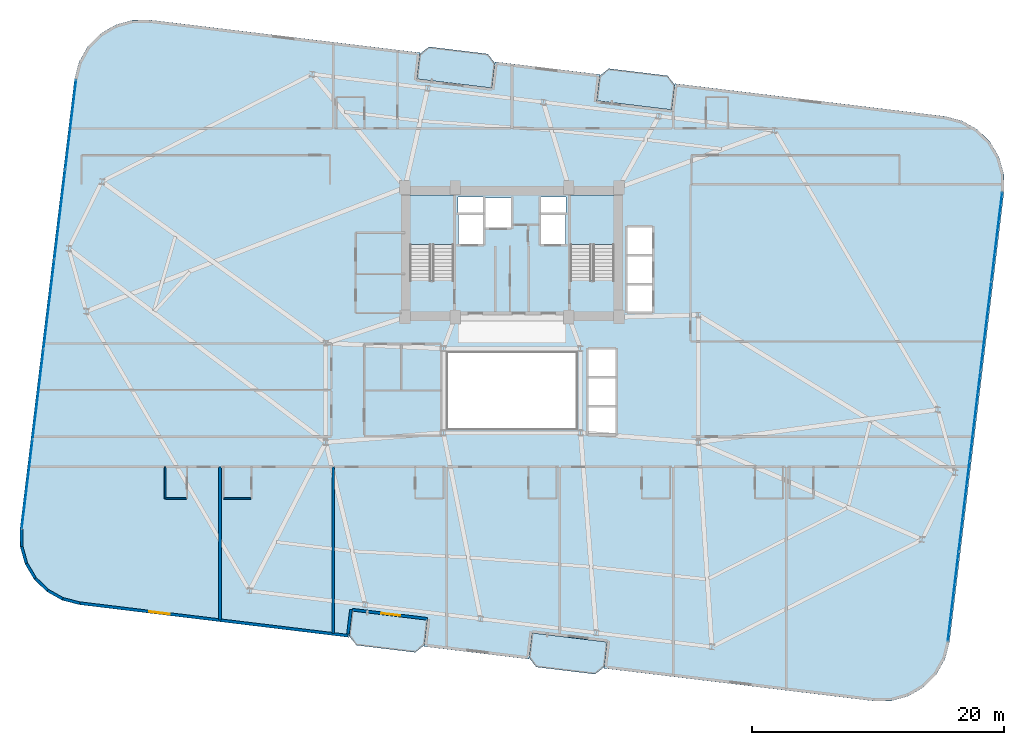
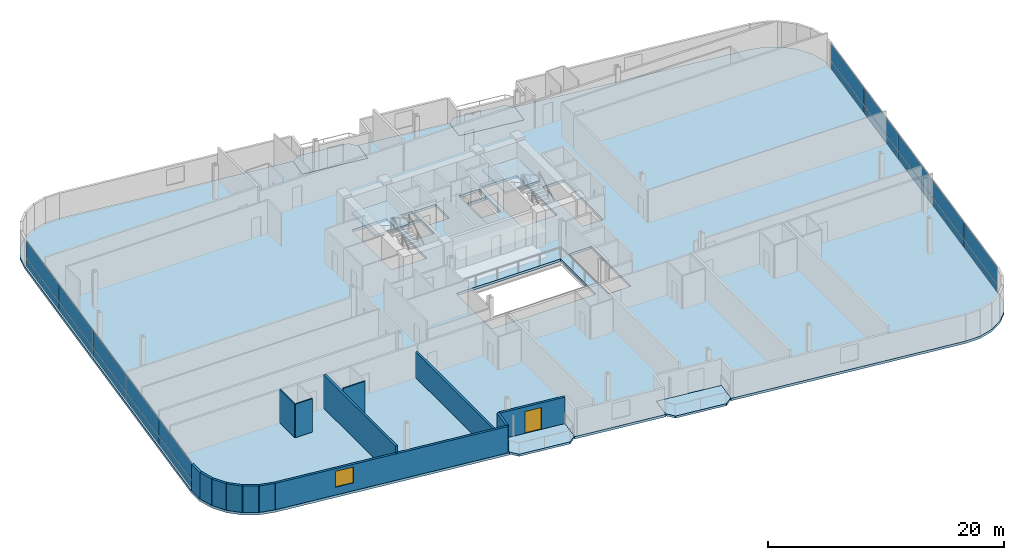
# One storey, part 19 of 26: 20 plates, 14 walls, 7 slabs, 1 door, 1 window, 2 openings, 4 elements without a shape of their own.
"""IFC4 building model written with IfcOpenShell, lengths in metres."""

from ifc_helpers import new_model, si_unit, direction, frame, frame_2d, origin, origin_2d, place, context, subcontext, project, spatial, polyline, rectangle, outline, extrude, source, transform, mapped, material, layer, layer_set, type_object, element, fill, aggregate, save


model = new_model("IFC4")

# Units and contexts
model_context = context("Model", 3, precision=1e-05, world=origin(), true_north=direction((0.0, 1.0)))
body_context = subcontext(model_context, "Body", "Model", "MODEL_VIEW")
ifc_project = project(units=[si_unit("LENGTHUNIT", "METRE"), si_unit("AREAUNIT", "SQUARE_METRE"), si_unit("VOLUMEUNIT", "CUBIC_METRE"), si_unit("PLANEANGLEUNIT", "RADIAN"), si_unit("MASSUNIT", "GRAM", prefix="KILO")], contexts=[model_context])

# Site, building, storey
site_placement = place(None, origin())
site = spatial("IfcSite", under=ifc_project, at=site_placement, CompositionType="ELEMENT")
building_placement = place(site_placement, origin())
building = spatial("IfcBuilding", under=site, at=building_placement, Name="Varnelok Gate Tower", CompositionType="ELEMENT")
storey_placement = place(building_placement, frame((0.0, 0.0, 143.89990234375)))
storey = spatial("IfcBuildingStorey", under=building, at=storey_placement, Name="L36", CompositionType="ELEMENT", Elevation=143.89990234375)

# Slabs
ifc_material_1 = material(Name="Concrete C45/55", Category="concrete")
ifc_layer_1 = layer(ifc_material_1, 0.219970703125)
ifc_layer_set_1 = layer_set([ifc_layer_1], Name="Concrete C45/55")
slab_type_1 = type_object("IfcSlabType", Name="SLB-BALC-220", PredefinedType="FLOOR", material=ifc_layer_set_1)
slab_1_placement = place(storey_placement, frame((0.0, 0.0, -0.219970703125)))
element("IfcSlab", 1, at=slab_1_placement, inside=storey, type_object=slab_type_1, Name="L36 South Hollow Balcony 1", PredefinedType="FLOOR", context=body_context, shape_type="SweptSolid", body=[
    extrude(outline(polyline([(26.27001953125, 3.39697265625), (26.837158203125, 2.67333984375), (31.5029296875, 2.107666015625), (32.2265625, 2.6748046875), (32.46728515625, 4.660400390625), (26.5107421875, 5.38232421875), (26.27001953125, 3.39697265625)])), origin(), (0.0, 0.0, 1.0), 0.219970703125),
])
slab_2_placement = place(storey_placement, frame((0.0, 0.0, -0.219970703125)))
element("IfcSlab", 2, at=slab_2_placement, inside=storey, type_object=slab_type_1, Name="L36 South Hollow Balcony 2", PredefinedType="FLOOR", context=body_context, shape_type="SweptSolid", body=[
    extrude(outline(polyline([(40.5654296875, 1.663818359375), (41.132568359375, 0.9404296875), (45.79833984375, 0.374755859375), (46.521728515625, 0.94189453125), (46.762451171875, 2.92724609375), (40.80615234375, 3.6494140625), (40.5654296875, 1.663818359375)])), origin(), (0.0, 0.0, 1.0), 0.219970703125),
])
slab_3_placement = place(storey_placement, frame((0.0, 0.0, -0.219970703125)))
element("IfcSlab", 3, at=slab_3_placement, inside=storey, type_object=slab_type_1, Name="L36 North Hollow Balcony 1", PredefinedType="FLOOR", context=body_context, shape_type="SweptSolid", body=[
    extrude(outline(polyline([(31.637451171875, 47.672607421875), (37.593994140625, 46.95068359375), (37.834716796875, 48.93603515625), (37.267578125, 49.65966796875), (32.601806640625, 50.22509765625), (31.878173828125, 49.658203125), (31.637451171875, 47.672607421875)])), origin(), (0.0, 0.0, 1.0), 0.219970703125),
])
slab_4_placement = place(storey_placement, frame((0.0, 0.0, -0.219970703125)))
element("IfcSlab", 4, at=slab_4_placement, inside=storey, type_object=slab_type_1, Name="L36 North Hollow Balcony 2", PredefinedType="FLOOR", context=body_context, shape_type="SweptSolid", body=[
    extrude(outline(polyline([(45.932861328125, 45.939697265625), (51.88916015625, 45.2177734375), (52.1298828125, 47.203125), (51.562744140625, 47.926513671875), (46.89697265625, 48.4921875), (46.173583984375, 47.92529296875), (45.932861328125, 45.939697265625)])), origin(), (0.0, 0.0, 1.0), 0.219970703125),
])

# Stair, slab
ifc_material_2 = material(Name="Concrete C50/60", Category="concrete")
stair_type = type_object("IfcStairType", Name="STR-CORE-1650", PredefinedType="HALF_TURN_STAIR", material=ifc_material_2)
stair_1_placement = place(storey_placement, origin())
stair_1 = element("IfcStair", 5, at=stair_1_placement, inside=storey, type_object=stair_type, Name="L36 Exit Stair ST-1", PredefinedType="HALF_TURN_STAIR")
ifc_layer_2 = layer(ifc_material_1, 0.199951171875)
ifc_layer_set_2 = layer_set([ifc_layer_2], Name="Concrete C45/55")
slab_type_2 = type_object("IfcSlabType", Name="SLB-LAND-200", PredefinedType="LANDING", material=ifc_layer_set_2)
slab_5_placement = place(storey_placement, frame((0.0, 0.0, 1.650146484375)))
slab_5 = element("IfcSlab", 6, at=slab_5_placement, type_object=slab_type_2, Name="ST-1 landing 1", PredefinedType="LANDING", context=body_context, shape_type="SweptSolid", body=[
    extrude(outline(polyline([(34.550048828125, 34.5), (34.550048828125, 38.449951171875), (31.10009765625, 38.449951171875), (31.10009765625, 34.5), (34.550048828125, 34.5)])), origin(), (0.0, 0.0, 1.0), 0.199951171875),
])
aggregate(stair_1, [slab_5])

stair_2_placement = place(storey_placement, origin())
stair_2 = element("IfcStair", 7, at=stair_2_placement, inside=storey, type_object=stair_type, Name="L36 Exit Stair ST-2", PredefinedType="HALF_TURN_STAIR")
slab_6_placement = place(storey_placement, frame((0.0, 0.0, 1.650146484375)))
slab_6 = element("IfcSlab", 8, at=slab_6_placement, type_object=slab_type_2, Name="ST-2 landing 1", PredefinedType="LANDING", context=body_context, shape_type="SweptSolid", body=[
    extrude(outline(polyline([(47.300048828125, 34.5), (47.300048828125, 38.449951171875), (43.85009765625, 38.449951171875), (43.85009765625, 34.5), (47.300048828125, 34.5)])), origin(), (0.0, 0.0, 1.0), 0.199951171875),
])
aggregate(stair_2, [slab_6])

# Slab
ifc_layer_3 = layer(ifc_material_2, 0.25)
ifc_layer_set_3 = layer_set([ifc_layer_3], Name="Concrete C50/60")
slab_type_3 = type_object("IfcSlabType", Name="SLB-TYP-250", PredefinedType="FLOOR", material=ifc_layer_set_3)
slab_7_placement = place(storey_placement, frame((0.0, 0.0, -0.25)))
element("IfcSlab", 9, at=slab_7_placement, inside=storey, type_object=slab_type_3, Name="L36 Structural Floor Slab", PredefinedType="FLOOR", context=body_context, shape_type="SweptSolid", body=[
    extrude(outline(polyline([(0.104248046875, 11.90771484375), (0.11865234375, 10.498046875), (0.49755859375, 9.14013671875), (1.214599609375, 7.9267578125), (2.2216796875, 6.940185546875), (3.44970703125, 6.247802734375), (4.81494140625, 5.89697265625), (16.529296875, 4.47705078125), (26.258056640625, 3.297607421875), (26.5107421875, 5.38232421875), (32.46728515625, 4.660400390625), (32.214599609375, 2.575439453125), (40.553466796875, 1.564697265625), (40.80615234375, 3.6494140625), (46.762451171875, 2.92724609375), (46.509765625, 0.842529296875), (56.238525390625, -0.3369140625), (67.952880859375, -1.7568359375), (69.3623046875, -1.742431640625), (70.72021484375, -1.363525390625), (71.933837890625, -0.646240234375), (72.92041015625, 0.360595703125), (73.612548828125, 1.588623046875), (73.96337890625, 2.9541015625), (78.2958984375, 38.6923828125), (78.281494140625, 40.101806640625), (77.902587890625, 41.459716796875), (77.185302734375, 42.67333984375), (76.17822265625, 43.659912109375), (74.9501953125, 44.35205078125), (73.5849609375, 44.702880859375), (61.87060546875, 46.123046875), (52.141845703125, 47.302490234375), (51.88916015625, 45.2177734375), (45.932861328125, 45.939697265625), (46.185546875, 48.0244140625), (37.8466796875, 49.035400390625), (37.593994140625, 46.95068359375), (31.637451171875, 47.672607421875), (31.89013671875, 49.75732421875), (22.161376953125, 50.936767578125), (10.447265625, 52.35693359375), (9.03759765625, 52.34228515625), (7.6796875, 51.963623046875), (6.46630859375, 51.246337890625), (5.479736328125, 50.2392578125), (4.787353515625, 49.01123046875), (4.4365234375, 47.64599609375), (0.104248046875, 11.90771484375)]), holes=[polyline([(34.550048828125, 31.679931640625), (34.550048828125, 38.449951171875), (31.10009765625, 38.449951171875), (31.10009765625, 31.679931640625), (34.550048828125, 31.679931640625)]), polyline([(47.300048828125, 31.679931640625), (47.300048828125, 38.449951171875), (43.85009765625, 38.449951171875), (43.85009765625, 31.679931640625), (47.300048828125, 31.679931640625)]), polyline([(34.949951171875, 34.550048828125), (36.89990234375, 34.550048828125), (36.89990234375, 36.89990234375), (34.949951171875, 36.89990234375), (34.949951171875, 34.550048828125)]), polyline([(41.5, 34.550048828125), (43.449951171875, 34.550048828125), (43.449951171875, 36.89990234375), (41.5, 36.89990234375), (41.5, 34.550048828125)]), polyline([(37.050048828125, 35.85009765625), (39.14990234375, 35.85009765625), (39.14990234375, 38.199951171875), (37.050048828125, 38.199951171875), (37.050048828125, 35.85009765625)]), polyline([(48.35009765625, 29.14990234375), (50.35009765625, 29.14990234375), (50.35009765625, 35.89990234375), (48.35009765625, 35.89990234375), (48.35009765625, 29.14990234375)]), polyline([(45.25, 19.449951171875), (47.449951171875, 19.449951171875), (47.449951171875, 26.199951171875), (45.25, 26.199951171875), (45.25, 19.449951171875)]), polyline([(34.919921875, 37.080078125), (36.89990234375, 37.080078125), (36.89990234375, 38.280029296875), (34.919921875, 38.280029296875), (34.919921875, 37.080078125)]), polyline([(41.5, 37.080078125), (43.47998046875, 37.080078125), (43.47998046875, 38.280029296875), (41.5, 38.280029296875), (41.5, 37.080078125)]), polyline([(34.10009765625, 19.89990234375), (44.300048828125, 19.89990234375), (44.300048828125, 25.89990234375), (34.10009765625, 25.89990234375), (34.10009765625, 19.89990234375)])]), origin(), (0.0, 0.0, 1.0), 0.25),
])

# Curtain wall, plates
ifc_material_3 = material(Name="Anodized Aluminum Alloy 6063-T6", Category="aluminium")
ifc_layer_4 = layer(ifc_material_3, 0.179931640625)
ifc_layer_set_4 = layer_set([ifc_layer_4], Name="Anodized Aluminum Alloy 6063-T6")
curtain_wall_type = type_object("IfcCurtainWallType", Name="CW3-HOTEL-VISION", PredefinedType="USERDEFINED", material=ifc_layer_set_4)
curtain_wall_1_placement = place(storey_placement, origin())
curtain_wall_1 = element("IfcCurtainWall", 10, at=curtain_wall_1_placement, inside=storey, type_object=curtain_wall_type, Name="L36 West End Vision Curtain Wall", ObjectType="UNITISED CURTAIN WALL", PredefinedType="USERDEFINED")
ifc_material_4 = material(Name="Low-E Laminated Double Glazing IGU", Category="glass")
ifc_layer_5 = layer(ifc_material_4, 0.031982421875)
ifc_layer_set_5 = layer_set([ifc_layer_5], Name="Low-E Laminated Double Glazing IGU")
plate_type = type_object("IfcPlateType", Name="CW-PNL-IGU32", PredefinedType="CURTAIN_PANEL", material=ifc_layer_set_5)
shared_shape_1 = source(origin(), body_context, "Body", "SweptSolid", [
    extrude(rectangle(XDim=7.1025390625, YDim=0.031982421875, at=origin_2d()), origin(), (0.0, 0.0, 1.0), 0.802490234375),
])
plate_1_placement = place(storey_placement, frame((0.67822265625, 15.480712890625, 0.06494140625), z_axis=(0.0, 0.0, 1.0), x_axis=(0.120347046212, 0.99273188146, 0.0)))
plate_1 = element("IfcPlate", 11, at=plate_1_placement, type_object=plate_type, Name="CW3 panel 1.1", PredefinedType="CURTAIN_PANEL", context=body_context, shape_type="MappedRepresentation", body=[
    mapped(shared_shape_1, transform((0.0, 0.0, 0.0), scale=1.0)),
])
plate_2_placement = place(storey_placement, frame((4.140380859375, 44.039306640625, 0.06494140625), z_axis=(0.0, 0.0, 1.0), x_axis=(0.120347046212, 0.99273188146, 0.0)))
plate_2 = element("IfcPlate", 12, at=plate_2_placement, type_object=plate_type, Name="CW3 panel 5.1", PredefinedType="CURTAIN_PANEL", context=body_context, shape_type="MappedRepresentation", body=[
    mapped(shared_shape_1, transform((0.0, 0.0, 0.0), scale=1.0)),
])

curtain_wall_2_placement = place(storey_placement, origin())
curtain_wall_2 = element("IfcCurtainWall", 13, at=curtain_wall_2_placement, inside=storey, type_object=curtain_wall_type, Name="L36 East End Vision Curtain Wall", ObjectType="UNITISED CURTAIN WALL", PredefinedType="USERDEFINED")
plate_3_placement = place(storey_placement, frame((77.7216796875, 35.119140625, 0.06494140625), z_axis=(0.0, 0.0, 1.0), x_axis=(-0.120347046212, -0.99273188146, 0.0)))
plate_3 = element("IfcPlate", 14, at=plate_3_placement, type_object=plate_type, Name="CW3 panel 1.1", PredefinedType="CURTAIN_PANEL", context=body_context, shape_type="MappedRepresentation", body=[
    mapped(shared_shape_1, transform((0.0, 0.0, 0.0), scale=1.0)),
])
plate_4_placement = place(storey_placement, frame((74.259521484375, 6.560791015625, 0.06494140625), z_axis=(0.0, 0.0, 1.0), x_axis=(-0.120347046212, -0.99273188146, 0.0)))
plate_4 = element("IfcPlate", 15, at=plate_4_placement, type_object=plate_type, Name="CW3 panel 5.1", PredefinedType="CURTAIN_PANEL", context=body_context, shape_type="MappedRepresentation", body=[
    mapped(shared_shape_1, transform((0.0, 0.0, 0.0), scale=1.0)),
])

# Plate
shared_shape_2 = source(origin(), body_context, "Body", "SweptSolid", [
    extrude(rectangle(XDim=7.1025390625, YDim=0.031982421875, at=origin_2d()), origin(), (0.0, 0.0, 1.0), 1.732421875),
])
plate_5_placement = place(storey_placement, frame((0.67822265625, 15.480712890625, 0.9326171875), z_axis=(0.0, 0.0, 1.0), x_axis=(0.120347046212, 0.99273188146, 0.0)))
plate_5 = element("IfcPlate", 16, at=plate_5_placement, type_object=plate_type, Name="CW3 panel 1.2", PredefinedType="CURTAIN_PANEL", context=body_context, shape_type="MappedRepresentation", body=[
    mapped(shared_shape_2, transform((0.0, 0.0, 0.0), scale=1.0)),
])

plate_6_placement = place(storey_placement, frame((4.140380859375, 44.039306640625, 0.9326171875), z_axis=(0.0, 0.0, 1.0), x_axis=(0.120347046212, 0.99273188146, 0.0)))
plate_6 = element("IfcPlate", 17, at=plate_6_placement, type_object=plate_type, Name="CW3 panel 5.2", PredefinedType="CURTAIN_PANEL", context=body_context, shape_type="MappedRepresentation", body=[
    mapped(shared_shape_2, transform((0.0, 0.0, 0.0), scale=1.0)),
])

plate_7_placement = place(storey_placement, frame((77.7216796875, 35.119140625, 0.9326171875), z_axis=(0.0, 0.0, 1.0), x_axis=(-0.120347046212, -0.99273188146, 0.0)))
plate_7 = element("IfcPlate", 18, at=plate_7_placement, type_object=plate_type, Name="CW3 panel 1.2", PredefinedType="CURTAIN_PANEL", context=body_context, shape_type="MappedRepresentation", body=[
    mapped(shared_shape_2, transform((0.0, 0.0, 0.0), scale=1.0)),
])

plate_8_placement = place(storey_placement, frame((74.259521484375, 6.560791015625, 0.9326171875), z_axis=(0.0, 0.0, 1.0), x_axis=(-0.120347046212, -0.99273188146, 0.0)))
plate_8 = element("IfcPlate", 19, at=plate_8_placement, type_object=plate_type, Name="CW3 panel 5.2", PredefinedType="CURTAIN_PANEL", context=body_context, shape_type="MappedRepresentation", body=[
    mapped(shared_shape_2, transform((0.0, 0.0, 0.0), scale=1.0)),
])

shared_shape_3 = source(origin(), body_context, "Body", "SweptSolid", [
    extrude(rectangle(XDim=7.135009765625, YDim=0.031982421875, at=origin_2d()), origin(), (0.0, 0.0, 1.0), 0.802490234375),
])
plate_9_placement = place(storey_placement, frame((1.54296875, 22.6123046875, 0.06494140625), z_axis=(0.0, 0.0, 1.0), x_axis=(0.120347046212, 0.99273188146, 0.0)))
plate_9 = element("IfcPlate", 20, at=plate_9_placement, type_object=plate_type, Name="CW3 panel 2.1", PredefinedType="CURTAIN_PANEL", context=body_context, shape_type="MappedRepresentation", body=[
    mapped(shared_shape_3, transform((0.0, 0.0, 0.0), scale=1.0)),
])

plate_10_placement = place(storey_placement, frame((2.409423828125, 29.760009765625, 0.06494140625), z_axis=(0.0, 0.0, 1.0), x_axis=(0.120347046212, 0.99273188146, 0.0)))
plate_10 = element("IfcPlate", 21, at=plate_10_placement, type_object=plate_type, Name="CW3 panel 3.1", PredefinedType="CURTAIN_PANEL", context=body_context, shape_type="MappedRepresentation", body=[
    mapped(shared_shape_3, transform((0.0, 0.0, 0.0), scale=1.0)),
])

plate_11_placement = place(storey_placement, frame((3.27587890625, 36.90771484375, 0.06494140625), z_axis=(0.0, 0.0, 1.0), x_axis=(0.120347046212, 0.99273188146, 0.0)))
plate_11 = element("IfcPlate", 22, at=plate_11_placement, type_object=plate_type, Name="CW3 panel 4.1", PredefinedType="CURTAIN_PANEL", context=body_context, shape_type="MappedRepresentation", body=[
    mapped(shared_shape_3, transform((0.0, 0.0, 0.0), scale=1.0)),
])

plate_12_placement = place(storey_placement, frame((76.857177734375, 27.98779296875, 0.06494140625), z_axis=(0.0, 0.0, 1.0), x_axis=(-0.120347046212, -0.99273188146, 0.0)))
plate_12 = element("IfcPlate", 23, at=plate_12_placement, type_object=plate_type, Name="CW3 panel 2.1", PredefinedType="CURTAIN_PANEL", context=body_context, shape_type="MappedRepresentation", body=[
    mapped(shared_shape_3, transform((0.0, 0.0, 0.0), scale=1.0)),
])

plate_13_placement = place(storey_placement, frame((75.99072265625, 20.840087890625, 0.06494140625), z_axis=(0.0, 0.0, 1.0), x_axis=(-0.120347046212, -0.99273188146, 0.0)))
plate_13 = element("IfcPlate", 24, at=plate_13_placement, type_object=plate_type, Name="CW3 panel 3.1", PredefinedType="CURTAIN_PANEL", context=body_context, shape_type="MappedRepresentation", body=[
    mapped(shared_shape_3, transform((0.0, 0.0, 0.0), scale=1.0)),
])

plate_14_placement = place(storey_placement, frame((75.124267578125, 13.6923828125, 0.06494140625), z_axis=(0.0, 0.0, 1.0), x_axis=(-0.120347046212, -0.99273188146, 0.0)))
plate_14 = element("IfcPlate", 25, at=plate_14_placement, type_object=plate_type, Name="CW3 panel 4.1", PredefinedType="CURTAIN_PANEL", context=body_context, shape_type="MappedRepresentation", body=[
    mapped(shared_shape_3, transform((0.0, 0.0, 0.0), scale=1.0)),
])

shared_shape_4 = source(origin(), body_context, "Body", "SweptSolid", [
    extrude(rectangle(XDim=7.135009765625, YDim=0.031982421875, at=origin_2d()), origin(), (0.0, 0.0, 1.0), 1.732421875),
])
plate_15_placement = place(storey_placement, frame((1.54296875, 22.6123046875, 0.9326171875), z_axis=(0.0, 0.0, 1.0), x_axis=(0.120347046212, 0.99273188146, 0.0)))
plate_15 = element("IfcPlate", 26, at=plate_15_placement, type_object=plate_type, Name="CW3 panel 2.2", PredefinedType="CURTAIN_PANEL", context=body_context, shape_type="MappedRepresentation", body=[
    mapped(shared_shape_4, transform((0.0, 0.0, 0.0), scale=1.0)),
])

plate_16_placement = place(storey_placement, frame((2.409423828125, 29.760009765625, 0.9326171875), z_axis=(0.0, 0.0, 1.0), x_axis=(0.120347046212, 0.99273188146, 0.0)))
plate_16 = element("IfcPlate", 27, at=plate_16_placement, type_object=plate_type, Name="CW3 panel 3.2", PredefinedType="CURTAIN_PANEL", context=body_context, shape_type="MappedRepresentation", body=[
    mapped(shared_shape_4, transform((0.0, 0.0, 0.0), scale=1.0)),
])

plate_17_placement = place(storey_placement, frame((3.27587890625, 36.90771484375, 0.9326171875), z_axis=(0.0, 0.0, 1.0), x_axis=(0.120347046212, 0.99273188146, 0.0)))
plate_17 = element("IfcPlate", 28, at=plate_17_placement, type_object=plate_type, Name="CW3 panel 4.2", PredefinedType="CURTAIN_PANEL", context=body_context, shape_type="MappedRepresentation", body=[
    mapped(shared_shape_4, transform((0.0, 0.0, 0.0), scale=1.0)),
])

aggregate(curtain_wall_1, [plate_1, plate_5, plate_9, plate_15, plate_10, plate_16, plate_11, plate_17, plate_2, plate_6])

plate_18_placement = place(storey_placement, frame((76.857177734375, 27.98779296875, 0.9326171875), z_axis=(0.0, 0.0, 1.0), x_axis=(-0.120347046212, -0.99273188146, 0.0)))
plate_18 = element("IfcPlate", 29, at=plate_18_placement, type_object=plate_type, Name="CW3 panel 2.2", PredefinedType="CURTAIN_PANEL", context=body_context, shape_type="MappedRepresentation", body=[
    mapped(shared_shape_4, transform((0.0, 0.0, 0.0), scale=1.0)),
])

plate_19_placement = place(storey_placement, frame((75.99072265625, 20.840087890625, 0.9326171875), z_axis=(0.0, 0.0, 1.0), x_axis=(-0.120347046212, -0.99273188146, 0.0)))
plate_19 = element("IfcPlate", 30, at=plate_19_placement, type_object=plate_type, Name="CW3 panel 3.2", PredefinedType="CURTAIN_PANEL", context=body_context, shape_type="MappedRepresentation", body=[
    mapped(shared_shape_4, transform((0.0, 0.0, 0.0), scale=1.0)),
])

plate_20_placement = place(storey_placement, frame((75.124267578125, 13.6923828125, 0.9326171875), z_axis=(0.0, 0.0, 1.0), x_axis=(-0.120347046212, -0.99273188146, 0.0)))
plate_20 = element("IfcPlate", 31, at=plate_20_placement, type_object=plate_type, Name="CW3 panel 4.2", PredefinedType="CURTAIN_PANEL", context=body_context, shape_type="MappedRepresentation", body=[
    mapped(shared_shape_4, transform((0.0, 0.0, 0.0), scale=1.0)),
])

aggregate(curtain_wall_2, [plate_3, plate_7, plate_12, plate_18, plate_13, plate_19, plate_14, plate_20, plate_4, plate_8])

# Wall, opening, door
ifc_layer_6 = layer(ifc_material_1, 0.219970703125)
ifc_layer_set_6 = layer_set([ifc_layer_6], Name="Concrete C45/55")
wall_type_1 = type_object("IfcWallType", Name="EW-BALC-220", PredefinedType="SOLIDWALL", material=ifc_layer_set_6)
wall_1_placement = place(storey_placement, frame((32.48046875, 4.76953125, 0.0), z_axis=(0.0, 0.0, 1.0), x_axis=(-0.992735402148, 0.120318000826, 0.0)))
wall_1 = element("IfcWall", 32, at=wall_1_placement, inside=storey, type_object=wall_type_1, Name="L36 South Terrace Envelope Wall 1", PredefinedType="SOLIDWALL", context=body_context, shape_type="SweptSolid", body=[
    extrude(rectangle(XDim=6.000244140625, YDim=0.219970703125, at=frame_2d((3.0, 0.0))), origin(), (0.0, 0.0, 1.0), 2.72998046875),
])
opening_1_placement = place(wall_1_placement, frame((2.176025390625, 0.0, 0.0)))
opening_1 = element("IfcOpeningElement", 33, at=opening_1_placement, cuts=wall_1, Name="Opening BD-1", PredefinedType="OPENING", context=body_context, shape_type="SweptSolid", body=[
    extrude(rectangle(XDim=1.5, YDim=2.25, at=frame_2d((0.75, 1.125))), frame((0.0, 0.119873046875, 0.0), z_axis=(0.0, -1.0, 0.0), x_axis=(1.0, 0.0, 0.0)), (0.0, 0.0, 1.0), 0.239990234375),
])
door_type = type_object("IfcDoorType", Name="DR-EXT-BALC1500", OperationType="NOTDEFINED", PredefinedType="DOOR", material=ifc_material_3)
door_placement = place(opening_1_placement, origin())
door = element("IfcDoor", 34, at=door_placement, inside=storey, type_object=door_type, Name="L36 South Balcony Glazed Door 1", OperationType="SINGLE_SWING_RIGHT", OverallHeight=2.25, OverallWidth=1.5, PredefinedType="DOOR", context=body_context, shape_type="SweptSolid", body=[
    extrude(rectangle(XDim=1.5, YDim=2.25, at=frame_2d((0.75, 1.125))), frame((0.0, 0.02490234375, 0.0), z_axis=(0.0, -1.0, 0.0), x_axis=(1.0, 0.0, 0.0)), (0.0, 0.0, 1.0), 0.050048828125),
])
fill(opening_1, door)

# Walls
wall_2_placement = place(storey_placement, frame((0.224365234375, 11.89306640625, 0.0), z_axis=(0.0, 0.0, 1.0), x_axis=(0.010098705419, -0.999949006774, 0.0)))
element("IfcWall", 35, at=wall_2_placement, inside=storey, type_object=wall_type_1, Name="L36 Perimeter Facade Closure Wall 1", PredefinedType="SOLIDWALL", context=body_context, shape_type="SweptSolid", body=[
    extrude(rectangle(XDim=1.3779296875, YDim=0.219970703125, at=frame_2d((0.68896484375, 0.0))), origin(), (0.0, 0.0, 1.0), 2.72998046875),
])
wall_3_placement = place(storey_placement, frame((0.2451171875, 10.490966796875, 0.0), z_axis=(0.0, 0.0, 1.0), x_axis=(0.268853470153, -0.963181089716, 0.0)))
element("IfcWall", 36, at=wall_3_placement, inside=storey, type_object=wall_type_1, Name="L36 Perimeter Facade Closure Wall 2", PredefinedType="SOLIDWALL", context=body_context, shape_type="SweptSolid", body=[
    extrude(rectangle(XDim=1.35302734375, YDim=0.219970703125, at=frame_2d((0.676513671875, 0.0))), origin(), (0.0, 0.0, 1.0), 2.72998046875),
])
wall_4_placement = place(storey_placement, frame((0.62158203125, 9.166015625, 0.0), z_axis=(0.0, 0.0, 1.0), x_axis=(0.508911700393, -0.860818727261, 0.0)))
element("IfcWall", 37, at=wall_4_placement, inside=storey, type_object=wall_type_1, Name="L36 Perimeter Facade Closure Wall 3", PredefinedType="SOLIDWALL", context=body_context, shape_type="SweptSolid", body=[
    extrude(rectangle(XDim=1.352783203125, YDim=0.219970703125, at=frame_2d((0.67626953125, 0.0))), origin(), (0.0, 0.0, 1.0), 2.72998046875),
])
wall_5_placement = place(storey_placement, frame((1.327880859375, 7.98388671875, 0.0), z_axis=(0.0, 0.0, 1.0), x_axis=(0.714376989847, -0.69976104234, 0.0)))
element("IfcWall", 38, at=wall_5_placement, inside=storey, type_object=wall_type_1, Name="L36 Perimeter Facade Closure Wall 4", PredefinedType="SOLIDWALL", context=body_context, shape_type="SweptSolid", body=[
    extrude(rectangle(XDim=1.35302734375, YDim=0.219970703125, at=frame_2d((0.676513671875, 0.0))), origin(), (0.0, 0.0, 1.0), 2.72998046875),
])
wall_6_placement = place(storey_placement, frame((2.316162109375, 7.024658203125, 0.0), z_axis=(0.0, 0.0, 1.0), x_axis=(0.87113677592, -0.491040443996, 0.0)))
element("IfcWall", 39, at=wall_6_placement, inside=storey, type_object=wall_type_1, Name="L36 Perimeter Facade Closure Wall 5", PredefinedType="SOLIDWALL", context=body_context, shape_type="SweptSolid", body=[
    extrude(rectangle(XDim=1.353271484375, YDim=0.219970703125, at=frame_2d((0.6767578125, 0.0))), origin(), (0.0, 0.0, 1.0), 2.72998046875),
])
wall_7_placement = place(storey_placement, frame((3.519287109375, 6.35400390625, 0.0), z_axis=(0.0, 0.0, 1.0), x_axis=(0.968506529347, -0.248988157573, 0.0)))
element("IfcWall", 40, at=wall_7_placement, inside=storey, type_object=wall_type_1, Name="L36 Perimeter Facade Closure Wall 6", PredefinedType="SOLIDWALL", context=body_context, shape_type="SweptSolid", body=[
    extrude(rectangle(XDim=1.361083984375, YDim=0.219970703125, at=frame_2d((0.6806640625, 0.0))), origin(), (0.0, 0.0, 1.0), 2.72998046875),
])

# Wall, opening, window
wall_8_placement = place(storey_placement, frame((4.862060546875, 6.01220703125, 0.0), z_axis=(0.0, 0.0, 1.0), x_axis=(0.99273213367, -0.120344965739, 0.0)))
wall_8 = element("IfcWall", 41, at=wall_8_placement, inside=storey, type_object=wall_type_1, Name="L36 Perimeter Facade Closure Wall 7", PredefinedType="SOLIDWALL", context=body_context, shape_type="SweptSolid", body=[
    extrude(rectangle(XDim=21.447021484375, YDim=0.219970703125, at=frame_2d((10.7236328125, 0.0))), origin(), (0.0, 0.0, 1.0), 2.72998046875),
])
opening_2_placement = place(wall_8_placement, frame((5.543212890625, 0.0, 0.800048828125)))
opening_2 = element("IfcOpeningElement", 42, at=opening_2_placement, cuts=wall_8, Name="Opening WN3", PredefinedType="OPENING", context=body_context, shape_type="SweptSolid", body=[
    extrude(rectangle(XDim=1.64990234375, YDim=1.64990234375, at=frame_2d((0.824951171875, 0.824951171875))), frame((0.0, 0.119873046875, 0.0), z_axis=(0.0, -1.0, 0.0), x_axis=(1.0, 0.0, 0.0)), (0.0, 0.0, 1.0), 0.239990234375),
])
window_type = type_object("IfcWindowType", Name="WN-HTL-1650", PartitioningType="SINGLE_PANEL", PredefinedType="WINDOW", material=ifc_material_4)
window_placement = place(opening_2_placement, origin())
window = element("IfcWindow", 43, at=window_placement, inside=storey, type_object=window_type, Name="L36 Perimeter Vision Window 7", OverallHeight=1.64990234375, OverallWidth=1.64990234375, PartitioningType="SINGLE_PANEL", PredefinedType="WINDOW", context=body_context, shape_type="SweptSolid", body=[
    extrude(rectangle(XDim=1.64990234375, YDim=1.64990234375, at=frame_2d((0.824951171875, 0.824951171875))), frame((0.0, 0.030029296875, 0.0), z_axis=(0.0, -1.0, 0.0), x_axis=(1.0, 0.0, 0.0)), (0.0, 0.0, 1.0), 0.06005859375),
])
fill(opening_2, window)

# Walls
wall_9_placement = place(storey_placement, frame((26.16845703125, 3.555419921875, 0.0), z_axis=(0.0, 0.0, 1.0), x_axis=(0.120290754542, 0.992738703976, 0.0)))
element("IfcWall", 44, at=wall_9_placement, inside=storey, type_object=wall_type_1, Name="L36 Perimeter Facade Closure Wall 8", PredefinedType="SOLIDWALL", context=body_context, shape_type="SweptSolid", body=[
    extrude(rectangle(XDim=1.974853515625, YDim=0.219970703125, at=frame_2d((0.9873046875, 0.0))), origin(), (0.0, 0.0, 1.0), 2.72998046875),
])
ifc_material_5 = material(Name="Gypsum Plasterboard Acoustic Partition", Category="gypsum")
ifc_layer_7 = layer(ifc_material_5, 0.114990234375)
ifc_layer_set_7 = layer_set([ifc_layer_7], Name="Gypsum Plasterboard Acoustic Partition")
wall_type_2 = type_object("IfcWallType", Name="PW-ENS-125", PredefinedType="PARTITIONING", material=ifc_layer_set_7)
wall_10_placement = place(storey_placement, frame((11.679931640625, 14.330078125, 0.0), z_axis=(0.0, 0.0, 1.0), x_axis=(1.0, 0.0, 0.0)))
element("IfcWall", 45, at=wall_10_placement, inside=storey, type_object=wall_type_2, Name="Interior Partition", PredefinedType="PARTITIONING", context=body_context, shape_type="SweptSolid", body=[
    extrude(rectangle(XDim=1.650146484375, YDim=0.114990234375, at=frame_2d((0.8251953125, 0.0))), origin(), (0.0, 0.0, 1.0), 3.4501953125),
])
wall_11_placement = place(storey_placement, frame((11.639892578125, 14.330078125, 0.0), z_axis=(0.0, 0.0, 1.0), x_axis=(0.0, 1.0, 0.0)))
element("IfcWall", 46, at=wall_11_placement, inside=storey, type_object=wall_type_2, Name="Interior Partition", PredefinedType="PARTITIONING", context=body_context, shape_type="SweptSolid", body=[
    extrude(rectangle(XDim=2.52001953125, YDim=0.114990234375, at=frame_2d((1.260009765625, 0.0))), origin(), (0.0, 0.0, 1.0), 3.4501953125),
])
wall_12_placement = place(storey_placement, frame((16.300048828125, 14.330078125, 0.0), z_axis=(0.0, 0.0, 1.0), x_axis=(1.0, 0.0, 0.0)))
element("IfcWall", 47, at=wall_12_placement, inside=storey, type_object=wall_type_2, Name="Interior Partition", PredefinedType="PARTITIONING", context=body_context, shape_type="SweptSolid", body=[
    extrude(rectangle(XDim=2.14990234375, YDim=0.114990234375, at=frame_2d((1.074951171875, 0.0))), origin(), (0.0, 0.0, 1.0), 3.4501953125),
])
ifc_layer_8 = layer(ifc_material_5, 0.205078125)
ifc_layer_set_8 = layer_set([ifc_layer_8], Name="Gypsum Plasterboard Acoustic Partition")
wall_type_3 = type_object("IfcWallType", Name="PW-PARTY-200", PredefinedType="PARTITIONING", material=ifc_layer_set_8)
wall_13_placement = place(storey_placement, frame((16.0, 4.68212890625, 0.0), z_axis=(0.0, 0.0, 1.0), x_axis=(0.0, 1.0, 0.0)))
element("IfcWall", 48, at=wall_13_placement, inside=storey, type_object=wall_type_3, Name="L36 South Party Wall 1", PredefinedType="PARTITIONING", context=body_context, shape_type="SweptSolid", body=[
    extrude(rectangle(XDim=12.16796875, YDim=0.205078125, at=frame_2d((6.083984375, 0.0))), origin(), (0.0, 0.0, 1.0), 3.4501953125),
])
wall_14_placement = place(storey_placement, frame((25.0, 3.591064453125, 0.0), z_axis=(0.0, 0.0, 1.0), x_axis=(0.0, 1.0, 0.0)))
element("IfcWall", 49, at=wall_14_placement, inside=storey, type_object=wall_type_3, Name="L36 South Party Wall 2", PredefinedType="PARTITIONING", context=body_context, shape_type="SweptSolid", body=[
    extrude(rectangle(XDim=13.259033203125, YDim=0.205078125, at=frame_2d((6.62939453125, 0.0))), origin(), (0.0, 0.0, 1.0), 2.662109375),
])

save(model, "model.ifc")
